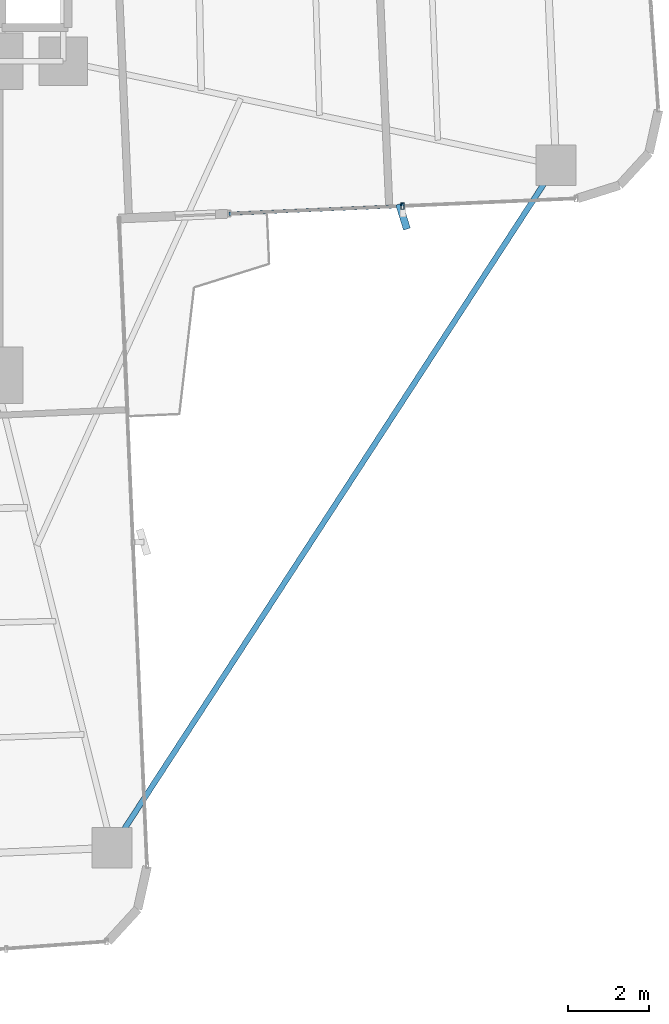
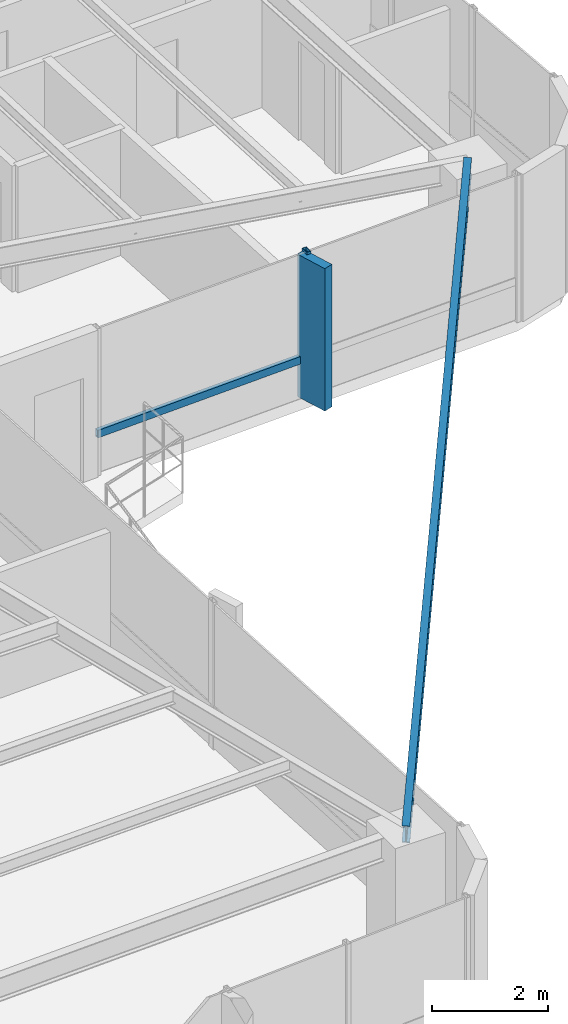
# One storey, part 14 of 26: 3 members, 1 beam, 1 element without a shape of its own.
"""IFC4 building model written with IfcOpenShell, lengths in metres."""

from ifc_helpers import new_model, si_unit, direction, frame, origin, origin_2d, place, context, subcontext, project, spatial, rectangle, hollow_rectangle, i_section, extrude, source, transform, mapped, material, material_profile, profile_set, type_object, element, aggregate, save


model = new_model("IFC4")

# Units and contexts
model_context = context("Model", 3, precision=1e-05, world=origin(), true_north=direction((0.0, 1.0)))
body_context = subcontext(model_context, "Body", "Model", "MODEL_VIEW")
ifc_project = project(units=[si_unit("LENGTHUNIT", "METRE"), si_unit("AREAUNIT", "SQUARE_METRE"), si_unit("VOLUMEUNIT", "CUBIC_METRE"), si_unit("PLANEANGLEUNIT", "RADIAN"), si_unit("MASSUNIT", "GRAM", prefix="KILO")], contexts=[model_context])

# Site, building, storey
site_placement = place(None, origin())
site = spatial("IfcSite", under=ifc_project, at=site_placement, CompositionType="ELEMENT")
building_placement = place(site_placement, origin())
building = spatial("IfcBuilding", under=site, at=building_placement, Name="Sahyath Konkavel Grand Hotel", CompositionType="ELEMENT")
storey_placement = place(building_placement, frame((0.0, 0.0, 131.550048828125)))
storey = spatial("IfcBuildingStorey", under=building, at=storey_placement, Name="L36", CompositionType="ELEMENT", Elevation=131.550048828125)

# Beam
ifc_material_1 = material(Name="Steel E350", Category="steel")
ifc_material_profile_1 = material_profile(ifc_material_1, i_section(OverallWidth=0.139892578125, OverallDepth=0.35009765625, WebThickness=0.008056640625, FlangeThickness=0.01416015625, FilletRadius=0.013916015625, at=origin_2d()), Name="ISMB 350")
ifc_profile_set_1 = profile_set([ifc_material_profile_1], Name="Steel E350")
beam_type = type_object("IfcBeamType", Name="BM-ISMB350", PredefinedType="BEAM", material=ifc_profile_set_1)
shared_shape_1 = source(origin(), body_context, "Body", "SweptSolid", [
    extrude(i_section(OverallWidth=0.139892578125, OverallDepth=0.35009765625, WebThickness=0.008056640625, FlangeThickness=0.01416015625, FilletRadius=0.013916015625, at=origin_2d()), origin(), (0.0, 0.0, 1.0), 20.21533203125),
])
beam_placement = place(storey_placement, frame((17.734130859375, -4.981201171875, 2.93505859375), z_axis=(-0.545191244931, -0.838311700056, 0.0), x_axis=(0.838311700056, -0.545191244931, 0.0)))
element("IfcBeam", 1, at=beam_placement, inside=storey, type_object=beam_type, Name="L36 Re-Entrant Tie Beam SE", PredefinedType="BEAM", context=body_context, shape_type="MappedRepresentation", body=[
    mapped(shared_shape_1, transform((0.0, 0.0, 0.0), scale=1.0)),
])

# Curtain wall, members
ifc_material_2 = material(Name="Anodised Bronze Aluminium & Low-E Glazing", Category="aluminium")
curtain_wall_type = type_object("IfcCurtainWallType", Name="CW-ZONE2", PredefinedType="NOTDEFINED", material=ifc_material_2)
curtain_wall_placement = place(storey_placement, origin())
curtain_wall = element("IfcCurtainWall", 2, at=curtain_wall_placement, inside=storey, type_object=curtain_wall_type, Name="L36 Unitised Curtain Wall F0", PredefinedType="NOTDEFINED")
ifc_material_3 = material(Name="Anodised Bronze Aluminium", Category="aluminium")
ifc_material_profile_2 = material_profile(ifc_material_3, hollow_rectangle(XDim=0.080078125, YDim=0.159912109375, WallThickness=0.006103515625, at=origin_2d()), Name="RHS 160x80x6")
ifc_profile_set_2 = profile_set([ifc_material_profile_2], Name="Anodised Bronze Aluminium")
member_type_1 = type_object("IfcMemberType", Name="CW-MUL-160", PredefinedType="MULLION", material=ifc_profile_set_2)
shared_shape_2 = source(origin(), body_context, "Body", "SweptSolid", [
    extrude(hollow_rectangle(XDim=0.080078125, YDim=0.159912109375, WallThickness=0.006103515625, at=origin_2d()), origin(), (0.0, 0.0, 1.0), 3.10986328125),
])
member_1_placement = place(storey_placement, frame((13.9248046875, -5.998291015625, 0.0), z_axis=(0.0, 0.0, 1.0), x_axis=(1.0, 0.0, 0.0)))
member_1 = element("IfcMember", 3, at=member_1_placement, type_object=member_type_1, Name="L36 Curtain Wall Mullion F0-1", PredefinedType="MULLION", context=body_context, shape_type="MappedRepresentation", body=[
    mapped(shared_shape_2, transform((0.0, 0.0, 0.0), scale=1.0)),
])
ifc_material_4 = material(Name="Warm Buff Sandstone Cladding on Concrete C50/60", Category="masonry")
ifc_material_profile_3 = material_profile(ifc_material_4, rectangle(XDim=0.179931640625, YDim=0.64990234375, at=origin_2d()), Name="FIN 180x650")
ifc_profile_set_3 = profile_set([ifc_material_profile_3], Name="Warm Buff Sandstone Cladding on Concrete C50/60")
member_type_2 = type_object("IfcMemberType", Name="FIN-SANDSTONE-650", PredefinedType="MULLION", material=ifc_profile_set_3)
shared_shape_3 = source(origin(), body_context, "Body", "SweptSolid", [
    extrude(rectangle(XDim=0.179931640625, YDim=0.64990234375, at=origin_2d()), origin(), (0.0, 0.0, 1.0), 3.010009765625),
])
member_2_placement = place(storey_placement, frame((13.936279296875, -6.258056640625, 0.050048828125), z_axis=(0.0, 0.0, 1.0), x_axis=(0.955278362122, 0.295708050044, 0.0)))
member_2 = element("IfcMember", 4, at=member_2_placement, type_object=member_type_2, Name="L36 Sandstone Vertical Solar Fin FIN F0-1", PredefinedType="MULLION", context=body_context, shape_type="MappedRepresentation", body=[
    mapped(shared_shape_3, transform((0.0, 0.0, 0.0), scale=1.0)),
])
ifc_material_profile_4 = material_profile(ifc_material_3, hollow_rectangle(XDim=0.080078125, YDim=0.159912109375, WallThickness=0.006103515625, at=origin_2d()), Name="RHS 160x80x6")
ifc_profile_set_4 = profile_set([ifc_material_profile_4], Name="Anodised Bronze Aluminium")
member_type_3 = type_object("IfcMemberType", Name="CW-TRN-160", PredefinedType="USERDEFINED", material=ifc_profile_set_4)
shared_shape_4 = source(origin(), body_context, "Body", "SweptSolid", [
    extrude(hollow_rectangle(XDim=0.080078125, YDim=0.159912109375, WallThickness=0.006103515625, at=origin_2d()), origin(), (0.0, 0.0, 1.0), 4.31005859375),
])
member_3_placement = place(storey_placement, frame((9.618896484375, -6.186279296875, 0.849853515625), z_axis=(0.999048340188, 0.043616670746, 0.0), x_axis=(-0.043616670746, 0.999048340188, 0.0)))
member_3 = element("IfcMember", 5, at=member_3_placement, type_object=member_type_3, Name="L36 Curtain Wall Transom F0-0-spandrel", ObjectType="TRANSOM", PredefinedType="USERDEFINED", context=body_context, shape_type="MappedRepresentation", body=[
    mapped(shared_shape_4, transform((0.0, 0.0, 0.0), scale=1.0)),
])
aggregate(curtain_wall, [member_1, member_2, member_3])

save(model, "model.ifc")
